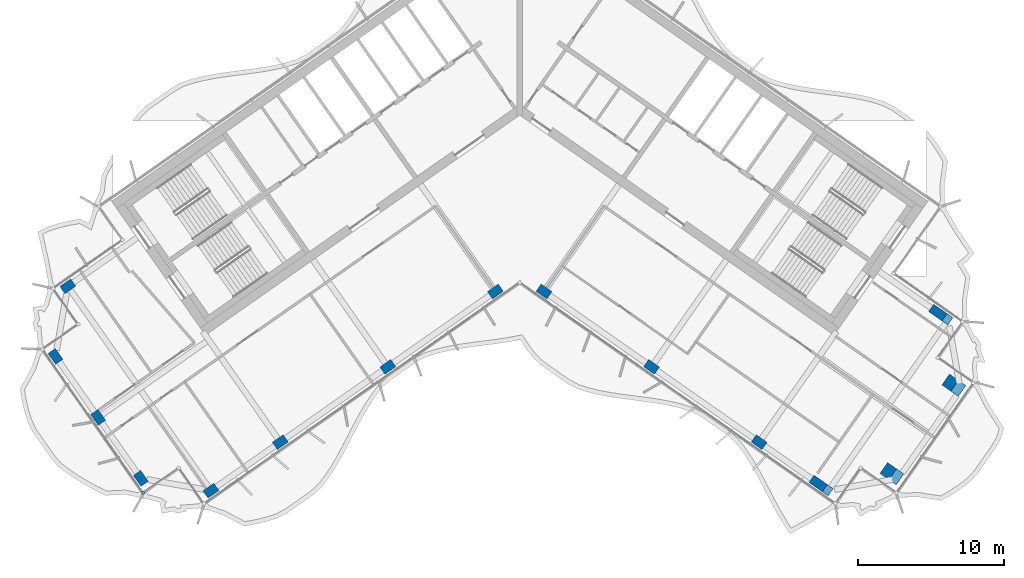
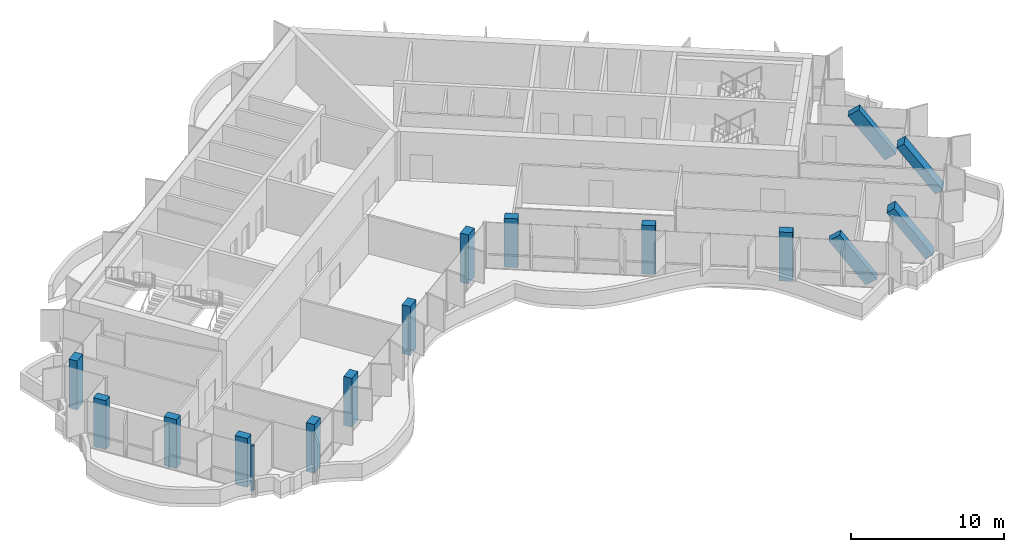
# One storey, part 1 of 18: 15 columns, 1 member, 1 element without a shape of its own.
"""IFC4 building model written with IfcOpenShell, lengths in metres."""

from ifc_helpers import new_model, si_unit, direction, frame, origin, origin_2d, place, context, subcontext, project, spatial, rectangle, extrude, clip, halfspace, material, material_profile, profile_set, type_object, element, aggregate, save


model = new_model("IFC4")

# Units and contexts
model_context = context("Model", 3, precision=1e-05, world=origin(), true_north=direction((0.0, 1.0)))
body_context = subcontext(model_context, "Body", "Model", "MODEL_VIEW")
ifc_project = project(units=[si_unit("LENGTHUNIT", "METRE"), si_unit("AREAUNIT", "SQUARE_METRE"), si_unit("VOLUMEUNIT", "CUBIC_METRE"), si_unit("PLANEANGLEUNIT", "RADIAN"), si_unit("MASSUNIT", "GRAM", prefix="KILO")], contexts=[model_context])

# Site, building, storey
site_placement = place(None, origin())
site = spatial("IfcSite", under=ifc_project, at=site_placement, CompositionType="ELEMENT")
building_placement = place(site_placement, origin())
building = spatial("IfcBuilding", under=site, at=building_placement, Name="Tel Ilan Convention Tower", CompositionType="ELEMENT")
storey_placement = place(building_placement, frame((0.0, 0.0, 268.300048828125)))
storey = spatial("IfcBuildingStorey", under=building, at=storey_placement, Name="L63", CompositionType="ELEMENT", Elevation=268.300048828125)

# Columns
ifc_material_1 = material(Name="Concrete C40/50", Category="concrete")
ifc_material_profile_1 = material_profile(ifc_material_1, rectangle(XDim=0.89990234375, YDim=0.60009765625, at=origin_2d()), Name="RC 600x900")
ifc_profile_set_1 = profile_set([ifc_material_profile_1], Name="Concrete C40/50")
column_type = type_object("IfcColumnType", Name="Column RC 600x900 C40/50", PredefinedType="COLUMN", material=ifc_profile_set_1)
for number, where, z_axis, x_axis, name in (
    (1, (-1.665283203125, -13.312744140625, 0.0), (0.0, 0.0, 1.0), (-0.819152044289, -0.573576436351, 0.0), "L63 column W-F1"),
    (2, (-9.03759765625, -18.474853515625, 0.0), (0.0, 0.0, 1.0), (-0.819152044289, -0.573576436351, 0.0), "L63 column W-F2"),
    (3, (-16.409912109375, -23.63720703125, 0.0), (0.0, 0.0, 1.0), (-0.819152044289, -0.573576436351, 0.0), "L63 column W-F3"),
    (4, (-21.1611328125, -26.9638671875, 0.0), (0.0, 0.0, 1.0), (-0.819152044289, -0.573576436351, 0.0), "L63 column W-FC"),
    (5, (-30.96923828125, -12.956298828125, 0.0), (0.0, 0.0, 1.0), (-0.819152044289, -0.573576436351, 0.0), "L63 column W-BC"),
    (6, (-25.966064453125, -26.11669921875, 0.0), (0.0, 0.0, 1.0), (-0.573576436351, 0.819152044289, 0.0), "L63 column W-E1"),
    (7, (-28.891357421875, -21.93896484375, 0.0), (0.0, 0.0, 1.0), (-0.573576436351, 0.819152044289, 0.0), "L63 column W-E2"),
    (8, (-31.81640625, -17.76123046875, 0.0), (0.0, 0.0, 1.0), (-0.573576436351, 0.819152044289, 0.0), "L63 column W-E3"),
    (9, (1.665283203125, -13.312744140625, 0.0), (0.0, 0.0, 1.0), (0.819152044289, -0.573576436351, 0.0), "L63 column E-F1"),
    (10, (9.03759765625, -18.474853515625, 0.0), (0.0, 0.0, 1.0), (0.819152044289, -0.573576436351, 0.0), "L63 column E-F2"),
    (11, (16.409912109375, -23.63720703125, 0.0), (0.0, 0.0, 1.0), (0.819152044289, -0.573576436351, 0.0), "L63 column E-F3"),
):
    element("IfcColumn", number, at=place(storey_placement, frame(where, z_axis=z_axis, x_axis=x_axis)), inside=storey, type_object=column_type, Name=name, PredefinedType="COLUMN", context=body_context, shape_type="SweptSolid", body=[
        extrude(rectangle(XDim=0.89990234375, YDim=0.60009765625, at=origin_2d()), origin(), (0.0, 0.0, 1.0), 3.89990234375),
    ])
column_1_placement = place(storey_placement, frame((21.1611328125, -26.9638671875, 0.0), z_axis=(-0.477776625256, 0.33452002553, 0.812296650786), x_axis=(0.665409360985, -0.465892939625, 0.583244503722)))
element("IfcColumn", 12, at=column_1_placement, inside=storey, type_object=column_type, Name="L63 column E-FC", PredefinedType="COLUMN", context=body_context, shape_type="Clipping", body=[
    clip(clip(extrude(rectangle(XDim=0.89990234375, YDim=0.60009765625, at=origin_2d()), origin(), (0.0, 0.0, 1.0), 4.801025390625), halfspace(frame((0.0, 0.0, 0.322998046875), z_axis=(0.0, 0.0, 1.0), x_axis=(1.0, 0.0, 0.0)), True)), halfspace(frame((0.0, 0.0, 4.47802734375), z_axis=(0.0, 0.0, 1.0), x_axis=(1.0, 0.0, 0.0)), False)),
])
column_2_placement = place(storey_placement, frame((29.36328125, -15.25, 0.0), z_axis=(-0.477740667047, 0.334477229622, 0.812335422048), x_axis=(0.665452651921, -0.465898707839, 0.583190502397)))
element("IfcColumn", 13, at=column_2_placement, inside=storey, type_object=column_type, Name="L63 column E-BC", PredefinedType="COLUMN", context=body_context, shape_type="Clipping", body=[
    clip(clip(extrude(rectangle(XDim=0.89990234375, YDim=0.60009765625, at=origin_2d()), origin(), (0.0, 0.0, 1.0), 4.80078125), halfspace(frame((0.0, 0.0, 0.322998046875), z_axis=(0.0, 0.0, 1.0), x_axis=(1.0, 0.0, 0.0)), True)), halfspace(frame((0.0, 0.0, 4.477783203125), z_axis=(0.0, 0.0, 1.0), x_axis=(1.0, 0.0, 0.0)), False)),
])
for number, where, z_axis, x_axis, name in (
    (14, (25.9658203125, -26.11669921875, 0.0), (-0.477726386634, 0.334536966807, 0.812319221337), (0.573610203854, 0.819128398991, 0.0), "L63 column E-E1"),
    (15, (30.210693359375, -20.054931640625, 0.0), (-0.477769502493, 0.334528037995, 0.812297540488), (0.573565197047, 0.819159914019, 0.0), "L63 column E-E2"),
):
    element("IfcColumn", number, at=place(storey_placement, frame(where, z_axis=z_axis, x_axis=x_axis)), inside=storey, type_object=column_type, Name=name, PredefinedType="COLUMN", context=body_context, shape_type="Clipping", body=[
        clip(clip(extrude(rectangle(XDim=0.89990234375, YDim=0.60009765625, at=origin_2d()), origin(), (0.0, 0.0, 1.0), 4.80078125), halfspace(frame((0.0, 0.0, 0.21533203125), z_axis=(0.0, 0.0, 1.0), x_axis=(1.0, 0.0, 0.0)), True)), halfspace(frame((0.0, 0.0, 4.58544921875), z_axis=(0.0, 0.0, 1.0), x_axis=(1.0, 0.0, 0.0)), False)),
    ])

# Curtain wall, member
ifc_material_2 = material(Name="Aluminium, bronze anodised", Category="aluminium")
curtain_wall_type = type_object("IfcCurtainWallType", Name="CW5 STICK CURTAIN WALL, UPPER OFFICE LOW-IRON TINTED GLASS", PredefinedType="NOTDEFINED", material=ifc_material_2)
curtain_wall_placement = place(storey_placement, origin())
curtain_wall = element("IfcCurtainWall", 16, at=curtain_wall_placement, inside=storey, type_object=curtain_wall_type, Name="Curtain wall CW5-48.02", PredefinedType="NOTDEFINED")
ifc_material_3 = material(Name="Aluminium, bronze anodised", Category="aluminium")
ifc_material_profile_2 = material_profile(ifc_material_3, rectangle(XDim=0.199951171875, YDim=0.199951171875, at=origin_2d()), Name="CW CORNER MULLION 200x200")
ifc_profile_set_2 = profile_set([ifc_material_profile_2], Name="Aluminium, bronze anodised")
member_type = type_object("IfcMemberType", Name="CW CORNER MULLION 200x200", PredefinedType="MULLION", material=ifc_profile_set_2)
member_placement = place(storey_placement, frame((-25.818359375, -27.112060546875, 0.0), z_axis=(0.0, 0.0, 1.0), x_axis=(0.573576436351, -0.819152044289, 0.0)))
member = element("IfcMember", 17, at=member_placement, type_object=member_type, Name="Corner mullion", PredefinedType="MULLION", context=body_context, shape_type="SweptSolid", body=[
    extrude(rectangle(XDim=0.199951171875, YDim=0.199951171875, at=origin_2d()), origin(), (0.0, 0.0, 1.0), 3.619873046875),
])
aggregate(curtain_wall, [member])

save(model, "model.ifc")
